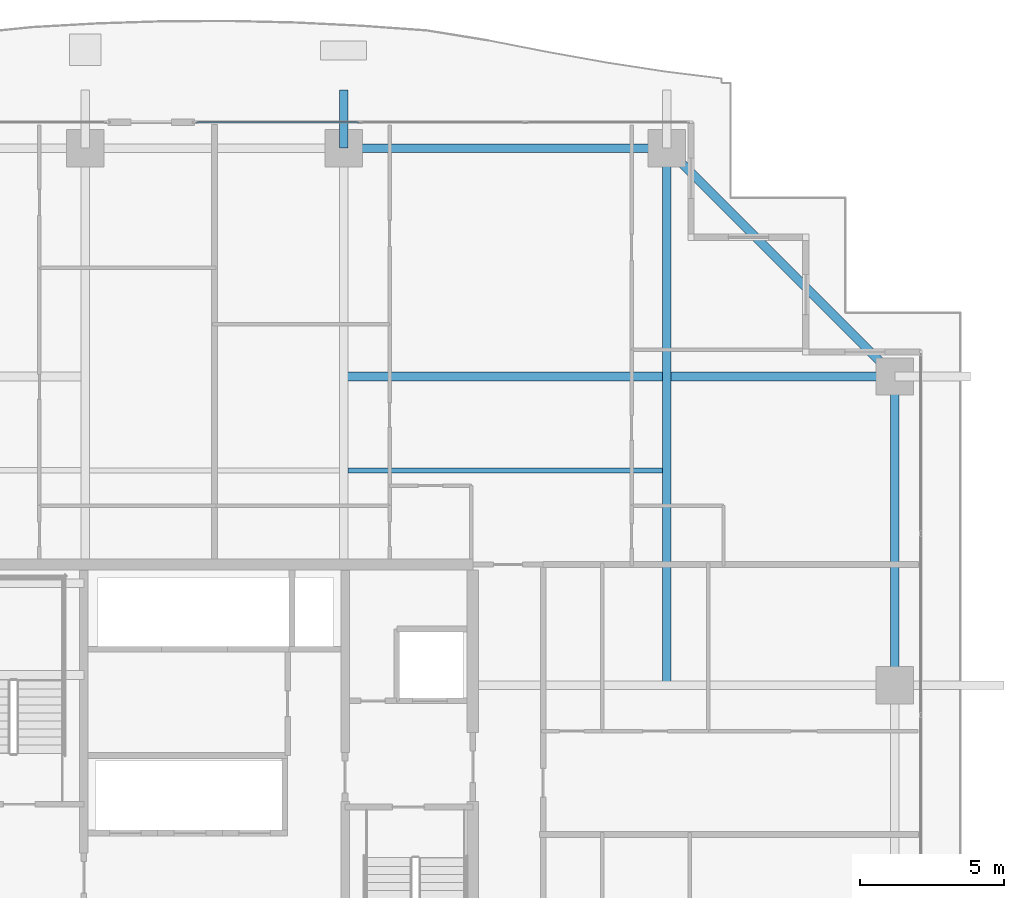
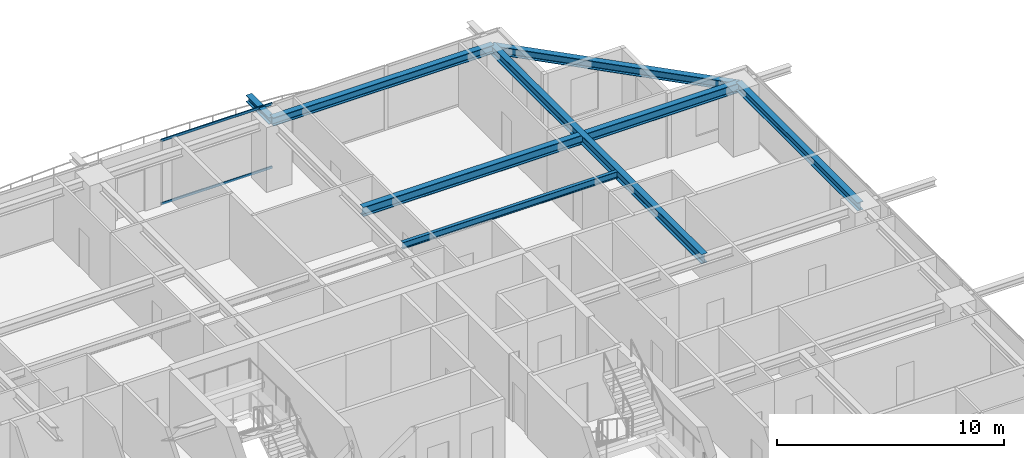
# One storey, part 22 of 37: 7 beams, 2 members, 1 element without a shape of its own.
"""IFC4 building model written with IfcOpenShell, lengths in metres."""

from ifc_helpers import new_model, si_unit, direction, frame, origin, origin_2d, place, context, subcontext, project, spatial, hollow_rectangle, i_section, extrude, source, transform, mapped, material, layer, layer_set, material_profile, profile_set, type_object, element, aggregate, save


model = new_model("IFC4")

# Units and contexts
model_context = context("Model", 3, precision=1e-05, world=origin(), true_north=direction((0.0, 1.0)))
body_context = subcontext(model_context, "Body", "Model", "MODEL_VIEW")
ifc_project = project(units=[si_unit("LENGTHUNIT", "METRE"), si_unit("AREAUNIT", "SQUARE_METRE"), si_unit("VOLUMEUNIT", "CUBIC_METRE"), si_unit("PLANEANGLEUNIT", "RADIAN"), si_unit("MASSUNIT", "GRAM", prefix="KILO")], contexts=[model_context])

# Site, building, storey
site_placement = place(None, origin())
site = spatial("IfcSite", under=ifc_project, at=site_placement, CompositionType="ELEMENT")
building_placement = place(site_placement, origin())
building = spatial("IfcBuilding", under=site, at=building_placement, Name="Serunith Strait Residences", CompositionType="ELEMENT")
storey_placement = place(building_placement, frame((0.0, 0.0, 127.64990234375)))
storey = spatial("IfcBuildingStorey", under=building, at=storey_placement, Name="L31", CompositionType="ELEMENT", Elevation=127.64990234375)

# Beams
ifc_material_1 = material(Name="Steel S355J2", Category="steel")
ifc_material_profile_1 = material_profile(ifc_material_1, i_section(OverallWidth=0.300048828125, OverallDepth=0.5, WebThickness=0.014404296875, FlangeThickness=0.028076171875, FilletRadius=0.027099609375, at=origin_2d()), Name="HEB 500")
ifc_profile_set_1 = profile_set([ifc_material_profile_1], Name="Steel S355J2")
beam_type_1 = type_object("IfcBeamType", Name="BM-HEB500", PredefinedType="BEAM", material=ifc_profile_set_1)
shared_shape_1 = source(origin(), body_context, "Body", "SweptSolid", [
    extrude(i_section(OverallWidth=0.300048828125, OverallDepth=0.5, WebThickness=0.014404296875, FlangeThickness=0.028076171875, FilletRadius=0.027099609375, at=origin_2d()), origin(), (0.0, 0.0, 1.0), 18.7001953125),
])
beam_1_placement = place(storey_placement, frame((48.14990234375, 29.39990234375, 3.237060546875), z_axis=(0.0, 1.0, 0.0), x_axis=(-1.0, 0.0, 0.0)))
element("IfcBeam", 1, at=beam_1_placement, inside=storey, type_object=beam_type_1, Name="L31 Orthogonal Corner Girder TC-N4", PredefinedType="BEAM", context=body_context, shape_type="MappedRepresentation", body=[
    mapped(shared_shape_1, transform((0.0, 0.0, 0.0), scale=1.0)),
])
shared_shape_2 = source(origin(), body_context, "Body", "SweptSolid", [
    extrude(i_section(OverallWidth=0.300048828125, OverallDepth=0.5, WebThickness=0.014404296875, FlangeThickness=0.028076171875, FilletRadius=0.027099609375, at=origin_2d()), origin(), (0.0, 0.0, 1.0), 19.2001953125),
])
beam_2_placement = place(storey_placement, frame((36.89990234375, 40.14990234375, 3.237060546875), z_axis=(1.0, 0.0, 0.0), x_axis=(0.0, 1.0, 0.0)))
element("IfcBeam", 2, at=beam_2_placement, inside=storey, type_object=beam_type_1, Name="L31 Orthogonal Corner Girder TC-E4", PredefinedType="BEAM", context=body_context, shape_type="MappedRepresentation", body=[
    mapped(shared_shape_2, transform((0.0, 0.0, 0.0), scale=1.0)),
])
ifc_material_profile_2 = material_profile(ifc_material_1, i_section(OverallWidth=0.300048828125, OverallDepth=0.449951171875, WebThickness=0.013916015625, FlangeThickness=0.02587890625, FilletRadius=0.027099609375, at=origin_2d()), Name="HEB 450")
ifc_profile_set_2 = profile_set([ifc_material_profile_2], Name="Steel S355J2")
beam_type_2 = type_object("IfcBeamType", Name="BM-HEB450", PredefinedType="BEAM", material=ifc_profile_set_2)
shared_shape_3 = source(origin(), body_context, "Body", "SweptSolid", [
    extrude(i_section(OverallWidth=0.300048828125, OverallDepth=0.449951171875, WebThickness=0.013916015625, FlangeThickness=0.02587890625, FilletRadius=0.027099609375, at=origin_2d()), origin(), (0.0, 0.0, 1.0), 11.25),
])
beam_3_placement = place(storey_placement, frame((48.14990234375, 48.10009765625, 3.26220703125), z_axis=(-1.0, 0.0, 0.0), x_axis=(0.0, -1.0, 0.0)))
element("IfcBeam", 3, at=beam_3_placement, inside=storey, type_object=beam_type_2, Name="L31 Perimeter Ring Beam 09", PredefinedType="BEAM", context=body_context, shape_type="MappedRepresentation", body=[
    mapped(shared_shape_3, transform((0.0, 0.0, 0.0), scale=1.0)),
])
shared_shape_4 = source(origin(), body_context, "Body", "SweptSolid", [
    extrude(i_section(OverallWidth=0.300048828125, OverallDepth=0.449951171875, WebThickness=0.013916015625, FlangeThickness=0.02587890625, FilletRadius=0.027099609375, at=origin_2d()), origin(), (0.0, 0.0, 1.0), 11.2431640625),
])
beam_4_placement = place(storey_placement, frame((56.10009765625, 40.14990234375, 3.232177734375), z_axis=(-0.707106781187, 0.707106781187, 0.0), x_axis=(-0.707106781187, -0.707106781187, 0.0)))
element("IfcBeam", 4, at=beam_4_placement, inside=storey, type_object=beam_type_2, Name="L31 Perimeter Ring Beam 08", PredefinedType="BEAM", context=body_context, shape_type="MappedRepresentation", body=[
    mapped(shared_shape_4, transform((0.0, 0.0, 0.0), scale=1.0)),
])
shared_shape_5 = source(origin(), body_context, "Body", "SweptSolid", [
    extrude(i_section(OverallWidth=0.300048828125, OverallDepth=0.449951171875, WebThickness=0.013916015625, FlangeThickness=0.02587890625, FilletRadius=0.027099609375, at=origin_2d()), origin(), (0.0, 0.0, 1.0), 10.75),
])
beam_5_placement = place(storey_placement, frame((56.10009765625, 29.39990234375, 3.26220703125), z_axis=(0.0, 1.0, 0.0), x_axis=(-1.0, 0.0, 0.0)))
element("IfcBeam", 5, at=beam_5_placement, inside=storey, type_object=beam_type_2, Name="L31 Perimeter Ring Beam 07", PredefinedType="BEAM", context=body_context, shape_type="MappedRepresentation", body=[
    mapped(shared_shape_5, transform((0.0, 0.0, 0.0), scale=1.0)),
])
ifc_material_profile_3 = material_profile(ifc_material_1, i_section(OverallWidth=0.169921875, OverallDepth=0.360107421875, WebThickness=0.008056640625, FlangeThickness=0.0126953125, FilletRadius=0.01806640625, at=origin_2d()), Name="IPE 360")
ifc_profile_set_3 = profile_set([ifc_material_profile_3], Name="Steel S355J2")
beam_type_3 = type_object("IfcBeamType", Name="BM-IPE360", PredefinedType="JOIST", material=ifc_profile_set_3)
shared_shape_6 = source(origin(), body_context, "Body", "SweptSolid", [
    extrude(i_section(OverallWidth=0.169921875, OverallDepth=0.360107421875, WebThickness=0.008056640625, FlangeThickness=0.0126953125, FilletRadius=0.01806640625, at=origin_2d()), origin(), (0.0, 0.0, 1.0), 10.949951171875),
])
beam_6_placement = place(storey_placement, frame((37.050048828125, 36.875, 3.30712890625), z_axis=(1.0, 0.0, 0.0), x_axis=(0.0, 1.0, 0.0)))
element("IfcBeam", 6, at=beam_6_placement, inside=storey, type_object=beam_type_3, Name="L31 Composite Floor Joist 06", PredefinedType="JOIST", context=body_context, shape_type="MappedRepresentation", body=[
    mapped(shared_shape_6, transform((0.0, 0.0, 0.0), scale=1.0)),
])
ifc_material_profile_4 = material_profile(ifc_material_1, i_section(OverallWidth=0.300048828125, OverallDepth=0.360107421875, WebThickness=0.012451171875, FlangeThickness=0.0224609375, FilletRadius=0.027099609375, at=origin_2d()), Name="HEB 360")
ifc_profile_set_4 = profile_set([ifc_material_profile_4], Name="Steel S355J2")
beam_type_4 = type_object("IfcBeamType", Name="BM-HEB360", PredefinedType="BEAM", material=ifc_profile_set_4)
shared_shape_7 = source(origin(), body_context, "Body", "SweptSolid", [
    extrude(i_section(OverallWidth=0.300048828125, OverallDepth=0.360107421875, WebThickness=0.012451171875, FlangeThickness=0.0224609375, FilletRadius=0.027099609375, at=origin_2d()), origin(), (0.0, 0.0, 1.0), 2.02978515625),
])
beam_7_placement = place(storey_placement, frame((36.89990234375, 48.10009765625, 3.277099609375), z_axis=(0.0, 1.0, 0.0), x_axis=(-1.0, 0.0, 0.0)))
element("IfcBeam", 7, at=beam_7_placement, inside=storey, type_object=beam_type_4, Name="L32 Cantilevered Balcony Rib TC-N3", PredefinedType="BEAM", context=body_context, shape_type="MappedRepresentation", body=[
    mapped(shared_shape_7, transform((0.0, 0.0, 0.0), scale=1.0)),
])

# Curtain wall, members
ifc_material_2 = material(Name="Pale-Champagne Anodised Aluminium", Category="aluminium")
ifc_layer = layer(ifc_material_2, 0.199951171875, Name="Pale-Champagne Anodised Aluminium")
ifc_layer_set = layer_set([ifc_layer], Name="Pale-Champagne Anodised Aluminium")
curtain_wall_type = type_object("IfcCurtainWallType", Name="CW-SYS2", PredefinedType="NOTDEFINED", material=ifc_layer_set)
curtain_wall_placement = place(storey_placement, origin())
curtain_wall = element("IfcCurtainWall", 8, at=curtain_wall_placement, inside=storey, type_object=curtain_wall_type, Name="L31 N Unitised Fritted Curtain Wall", PredefinedType="NOTDEFINED")
ifc_material_profile_5 = material_profile(ifc_material_2, hollow_rectangle(XDim=0.06005859375, YDim=0.139892578125, WallThickness=0.00341796875, InnerFilletRadius=0.00537109375, OuterFilletRadius=0.0087890625, at=origin_2d()), Name="ALU 140x60x3.5")
ifc_profile_set_5 = profile_set([ifc_material_profile_5], Name="Pale-Champagne Anodised Aluminium")
member_type = type_object("IfcMemberType", Name="CW-SYS2-TRAN", PredefinedType="USERDEFINED", material=ifc_profile_set_5)
shared_shape_8 = source(origin(), body_context, "Body", "SweptSolid", [
    extrude(hollow_rectangle(XDim=0.06005859375, YDim=0.139892578125, WallThickness=0.00341796875, InnerFilletRadius=0.00537109375, OuterFilletRadius=0.0087890625, at=origin_2d()), origin(), (0.0, 0.0, 1.0), 5.66162109375),
])
member_1_placement = place(storey_placement, frame((37.431640625, 49.0, 0.030029296875), z_axis=(-1.0, 0.0, 0.0), x_axis=(0.0, -1.0, 0.0)))
member_1 = element("IfcMember", 9, at=member_1_placement, type_object=member_type, Name="CW-2 transom 3.1", ObjectType="TRANSOM", PredefinedType="USERDEFINED", context=body_context, shape_type="MappedRepresentation", body=[
    mapped(shared_shape_8, transform((0.0, 0.0, 0.0), scale=1.0)),
])
member_2_placement = place(storey_placement, frame((37.431640625, 49.0, 3.445068359375), z_axis=(-1.0, 0.0, 0.0), x_axis=(0.0, -1.0, 0.0)))
member_2 = element("IfcMember", 10, at=member_2_placement, type_object=member_type, Name="CW-2 transom 3.2", ObjectType="TRANSOM", PredefinedType="USERDEFINED", context=body_context, shape_type="MappedRepresentation", body=[
    mapped(shared_shape_8, transform((0.0, 0.0, 0.0), scale=1.0)),
])
aggregate(curtain_wall, [member_1, member_2])

save(model, "model.ifc")
